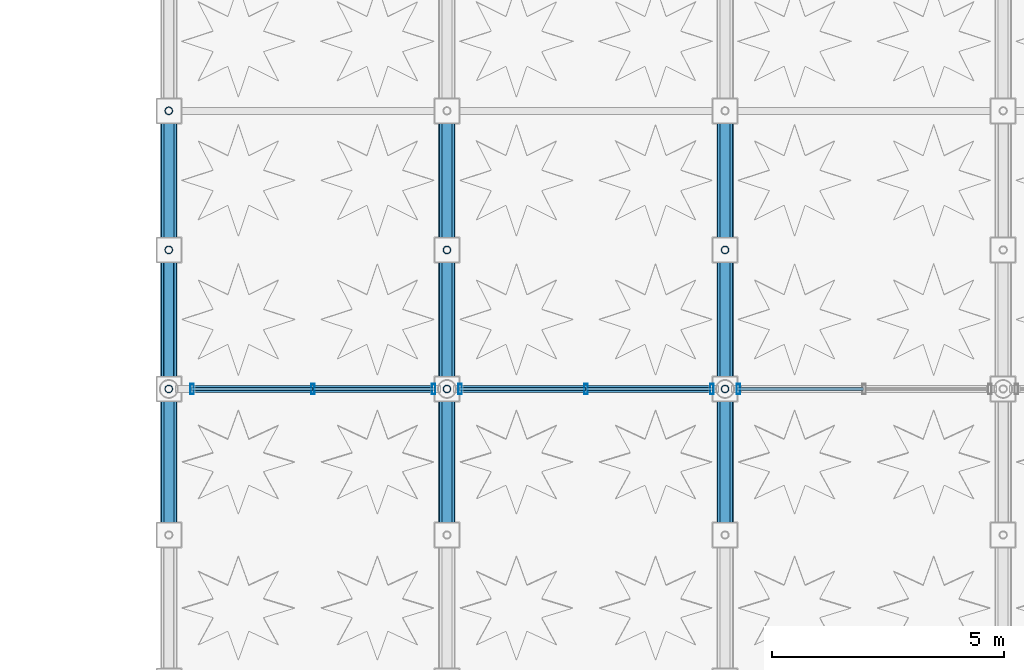
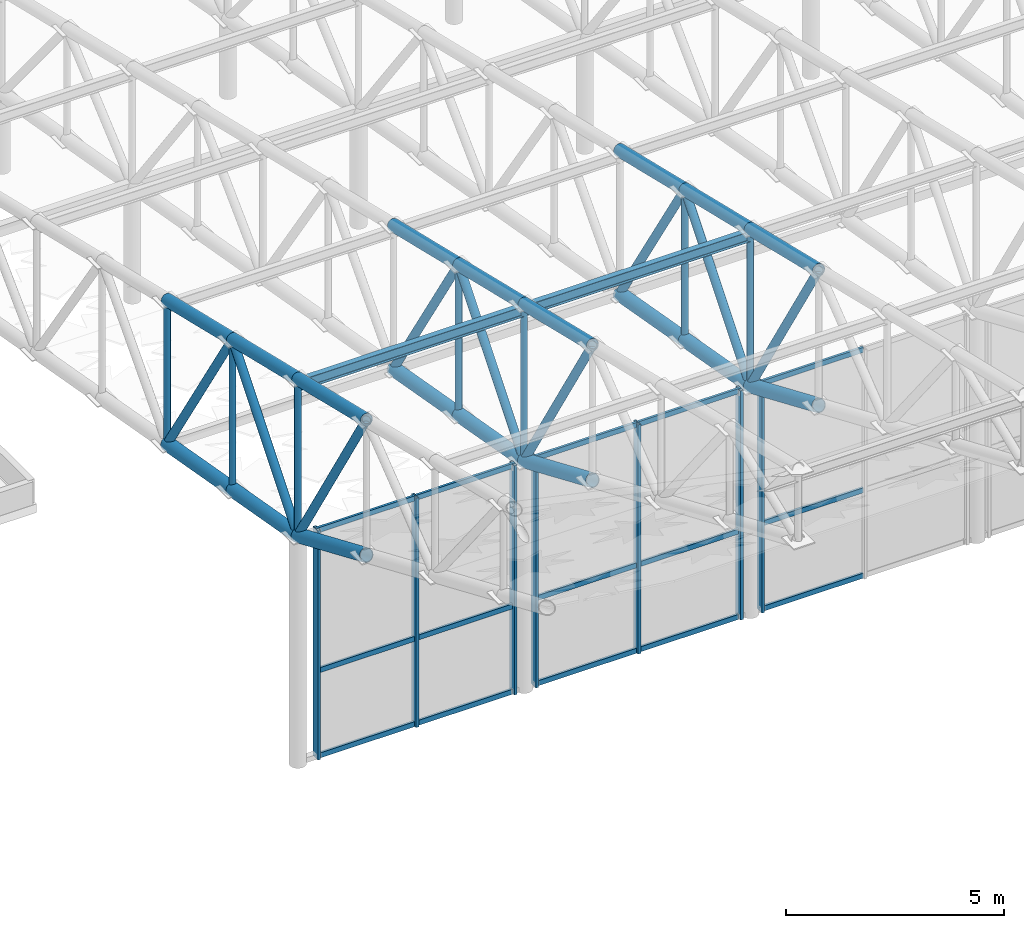
# One storey, part 18 of 123: 56 members, 2 beams, 3 elements without a shape of their own.
"""IFC4 building model written with IfcOpenShell, lengths in metres."""

from ifc_helpers import new_model, si_unit, direction, frame, origin, origin_2d, place, context, subcontext, project, spatial, hollow_rectangle, hollow_circle, i_section, extrude, material, material_profile, profile_set, type_object, element, aggregate, save


model = new_model("IFC4")

# Units and contexts
model_context = context("Model", 3, precision=1e-05, world=origin(), true_north=direction((0.0, 1.0)))
body_context = subcontext(model_context, "Body", "Model", "MODEL_VIEW")
ifc_project = project(units=[si_unit("LENGTHUNIT", "METRE"), si_unit("AREAUNIT", "SQUARE_METRE"), si_unit("VOLUMEUNIT", "CUBIC_METRE"), si_unit("PLANEANGLEUNIT", "RADIAN"), si_unit("MASSUNIT", "GRAM", prefix="KILO"), si_unit("THERMODYNAMICTEMPERATUREUNIT", "KELVIN"), si_unit("POWERUNIT", "WATT")], contexts=[model_context])

# Site, building, storey
site_placement = place(None, origin())
site = spatial("IfcSite", under=ifc_project, at=site_placement, CompositionType="ELEMENT")
building_placement = place(site_placement, origin())
building = spatial("IfcBuilding", under=site, at=building_placement, Name="Phaisarnlok Congress Hotel", CompositionType="ELEMENT")
storey_placement = place(building_placement, frame((0.0, 0.0, 15.0)))
storey = spatial("IfcBuildingStorey", under=building, at=storey_placement, Name="L03", CompositionType="ELEMENT", Elevation=15.0)

# Curtain wall, members
ifc_material_1 = material(Name="Thermally Broken Unitised Aluminium & Low-E Glazing", Category="aluminium")
curtain_wall_type_1 = type_object("IfcCurtainWallType", Name="CW-UNIT-42", PredefinedType="NOTDEFINED", material=ifc_material_1)
curtain_wall_1_placement = place(storey_placement, origin())
curtain_wall_1 = element("IfcCurtainWall", 1, at=curtain_wall_1_placement, inside=storey, type_object=curtain_wall_type_1, Name="Unitised curtain wall CW-42 (L03)", PredefinedType="NOTDEFINED")
ifc_material_2 = material(Name="Anodised Aluminium Alloy 6063-T6", Category="aluminium")
ifc_material_profile_1 = material_profile(ifc_material_2, hollow_rectangle(XDim=0.074951171875, YDim=0.219970703125, WallThickness=0.0048828125, at=origin_2d()), Name="ALU-M 75x220x5")
ifc_profile_set_1 = profile_set([ifc_material_profile_1], Name="Anodised Aluminium Alloy 6063-T6")
member_type_1 = type_object("IfcMemberType", Name="CWM-220", PredefinedType="MULLION", material=ifc_profile_set_1)
member_1_placement = place(storey_placement, frame((66.5048828125, 18.0, -0.010009765625), z_axis=(0.0, 0.0, 1.0), x_axis=(1.0, 0.0, 0.0)))
member_1 = element("IfcMember", 2, at=member_1_placement, type_object=member_type_1, Name="Curtain wall mullion CWM-02", PredefinedType="MULLION", context=body_context, shape_type="SweptSolid", body=[
    extrude(hollow_rectangle(XDim=0.074951171875, YDim=0.219970703125, WallThickness=0.0048828125, at=origin_2d()), origin(), (0.0, 0.0, 1.0), 6.429931640625),
])
member_2_placement = place(storey_placement, frame((69.110107421875, 18.0, -0.010009765625), z_axis=(0.0, 0.0, 1.0), x_axis=(1.0, 0.0, 0.0)))
member_2 = element("IfcMember", 3, at=member_2_placement, type_object=member_type_1, Name="Curtain wall mullion CWM-02", PredefinedType="MULLION", context=body_context, shape_type="SweptSolid", body=[
    extrude(hollow_rectangle(XDim=0.074951171875, YDim=0.219970703125, WallThickness=0.0048828125, at=origin_2d()), origin(), (0.0, 0.0, 1.0), 6.429931640625),
])
member_3_placement = place(storey_placement, frame((71.715087890625, 18.0, -0.010009765625), z_axis=(0.0, 0.0, 1.0), x_axis=(1.0, 0.0, 0.0)))
member_3 = element("IfcMember", 4, at=member_3_placement, type_object=member_type_1, Name="Curtain wall mullion CWM-02", PredefinedType="MULLION", context=body_context, shape_type="SweptSolid", body=[
    extrude(hollow_rectangle(XDim=0.074951171875, YDim=0.219970703125, WallThickness=0.0048828125, at=origin_2d()), origin(), (0.0, 0.0, 1.0), 6.429931640625),
])

curtain_wall_type_2 = type_object("IfcCurtainWallType", Name="CW-UNIT-45", PredefinedType="NOTDEFINED", material=ifc_material_1)
curtain_wall_2_placement = place(storey_placement, origin())
curtain_wall_2 = element("IfcCurtainWall", 5, at=curtain_wall_2_placement, inside=storey, type_object=curtain_wall_type_2, Name="Unitised curtain wall CW-45 (L03)", PredefinedType="NOTDEFINED")
member_4_placement = place(storey_placement, frame((72.284912109375, 18.0, -0.010009765625), z_axis=(0.0, 0.0, 1.0), x_axis=(1.0, 0.0, 0.0)))
member_4 = element("IfcMember", 6, at=member_4_placement, type_object=member_type_1, Name="Curtain wall mullion CWM-02", PredefinedType="MULLION", context=body_context, shape_type="SweptSolid", body=[
    extrude(hollow_rectangle(XDim=0.074951171875, YDim=0.219970703125, WallThickness=0.0048828125, at=origin_2d()), origin(), (0.0, 0.0, 1.0), 6.429931640625),
])
member_5_placement = place(storey_placement, frame((75.0, 18.0, -0.010009765625), z_axis=(0.0, 0.0, 1.0), x_axis=(1.0, 0.0, 0.0)))
member_5 = element("IfcMember", 7, at=member_5_placement, type_object=member_type_1, Name="Curtain wall mullion CWM-02", PredefinedType="MULLION", context=body_context, shape_type="SweptSolid", body=[
    extrude(hollow_rectangle(XDim=0.074951171875, YDim=0.219970703125, WallThickness=0.0048828125, at=origin_2d()), origin(), (0.0, 0.0, 1.0), 6.429931640625),
])
member_6_placement = place(storey_placement, frame((77.715087890625, 18.0, -0.010009765625), z_axis=(0.0, 0.0, 1.0), x_axis=(1.0, 0.0, 0.0)))
member_6 = element("IfcMember", 8, at=member_6_placement, type_object=member_type_1, Name="Curtain wall mullion CWM-02", PredefinedType="MULLION", context=body_context, shape_type="SweptSolid", body=[
    extrude(hollow_rectangle(XDim=0.074951171875, YDim=0.219970703125, WallThickness=0.0048828125, at=origin_2d()), origin(), (0.0, 0.0, 1.0), 6.429931640625),
])

# Curtain wall, member
curtain_wall_3_placement = place(storey_placement, origin())
curtain_wall_3 = element("IfcCurtainWall", 9, at=curtain_wall_3_placement, inside=storey, type_object=curtain_wall_type_2, Name="Unitised curtain wall CW-45 (L03)", PredefinedType="NOTDEFINED")
member_7_placement = place(storey_placement, frame((78.284912109375, 18.0, -0.010009765625), z_axis=(0.0, 0.0, 1.0), x_axis=(1.0, 0.0, 0.0)))
member_7 = element("IfcMember", 10, at=member_7_placement, type_object=member_type_1, Name="Curtain wall mullion CWM-02", PredefinedType="MULLION", context=body_context, shape_type="SweptSolid", body=[
    extrude(hollow_rectangle(XDim=0.074951171875, YDim=0.219970703125, WallThickness=0.0048828125, at=origin_2d()), origin(), (0.0, 0.0, 1.0), 6.429931640625),
])

# Member
ifc_material_profile_2 = material_profile(ifc_material_2, hollow_rectangle(XDim=0.06494140625, YDim=0.139892578125, WallThickness=0.00390625, at=origin_2d()), Name="ALU-T 65x140x4")
ifc_profile_set_2 = profile_set([ifc_material_profile_2], Name="Anodised Aluminium Alloy 6063-T6")
member_type_2 = type_object("IfcMemberType", Name="CWT-150", PredefinedType="USERDEFINED", material=ifc_profile_set_2)
member_8_placement = place(storey_placement, frame((66.47998046875, 18.0, 0.0400390625), z_axis=(1.0, 0.0, 0.0), x_axis=(0.0, 1.0, 0.0)))
member_8 = element("IfcMember", 11, at=member_8_placement, type_object=member_type_2, Name="Curtain wall transom CWT-01", ObjectType="TRANSOM", PredefinedType="USERDEFINED", context=body_context, shape_type="SweptSolid", body=[
    extrude(hollow_rectangle(XDim=0.06494140625, YDim=0.139892578125, WallThickness=0.00390625, at=origin_2d()), origin(), (0.0, 0.0, 1.0), 2.614990234375),
])

member_9_placement = place(storey_placement, frame((66.47998046875, 18.0, 2.433349609375), z_axis=(1.0, 0.0, 0.0), x_axis=(0.0, 1.0, 0.0)))
member_9 = element("IfcMember", 12, at=member_9_placement, type_object=member_type_2, Name="Curtain wall transom CWT-01", ObjectType="TRANSOM", PredefinedType="USERDEFINED", context=body_context, shape_type="SweptSolid", body=[
    extrude(hollow_rectangle(XDim=0.06494140625, YDim=0.139892578125, WallThickness=0.00390625, at=origin_2d()), origin(), (0.0, 0.0, 1.0), 2.614990234375),
])

member_10_placement = place(storey_placement, frame((66.47998046875, 18.0, 6.3701171875), z_axis=(1.0, 0.0, 0.0), x_axis=(0.0, 1.0, 0.0)))
member_10 = element("IfcMember", 13, at=member_10_placement, type_object=member_type_2, Name="Curtain wall transom CWT-01", ObjectType="TRANSOM", PredefinedType="USERDEFINED", context=body_context, shape_type="SweptSolid", body=[
    extrude(hollow_rectangle(XDim=0.06494140625, YDim=0.139892578125, WallThickness=0.00390625, at=origin_2d()), origin(), (0.0, 0.0, 1.0), 2.614990234375),
])

member_11_placement = place(storey_placement, frame((69.125, 18.0, 0.0400390625), z_axis=(1.0, 0.0, 0.0), x_axis=(0.0, 1.0, 0.0)))
member_11 = element("IfcMember", 14, at=member_11_placement, type_object=member_type_2, Name="Curtain wall transom CWT-01", ObjectType="TRANSOM", PredefinedType="USERDEFINED", context=body_context, shape_type="SweptSolid", body=[
    extrude(hollow_rectangle(XDim=0.06494140625, YDim=0.139892578125, WallThickness=0.00390625, at=origin_2d()), origin(), (0.0, 0.0, 1.0), 2.614990234375),
])

member_12_placement = place(storey_placement, frame((69.125, 18.0, 2.433349609375), z_axis=(1.0, 0.0, 0.0), x_axis=(0.0, 1.0, 0.0)))
member_12 = element("IfcMember", 15, at=member_12_placement, type_object=member_type_2, Name="Curtain wall transom CWT-01", ObjectType="TRANSOM", PredefinedType="USERDEFINED", context=body_context, shape_type="SweptSolid", body=[
    extrude(hollow_rectangle(XDim=0.06494140625, YDim=0.139892578125, WallThickness=0.00390625, at=origin_2d()), origin(), (0.0, 0.0, 1.0), 2.614990234375),
])

member_13_placement = place(storey_placement, frame((69.125, 18.0, 6.3701171875), z_axis=(1.0, 0.0, 0.0), x_axis=(0.0, 1.0, 0.0)))
member_13 = element("IfcMember", 16, at=member_13_placement, type_object=member_type_2, Name="Curtain wall transom CWT-01", ObjectType="TRANSOM", PredefinedType="USERDEFINED", context=body_context, shape_type="SweptSolid", body=[
    extrude(hollow_rectangle(XDim=0.06494140625, YDim=0.139892578125, WallThickness=0.00390625, at=origin_2d()), origin(), (0.0, 0.0, 1.0), 2.614990234375),
])

aggregate(curtain_wall_1, [member_1, member_2, member_3, member_8, member_9, member_10, member_11, member_12, member_13])

member_14_placement = place(storey_placement, frame((72.260009765625, 18.0, 0.0400390625), z_axis=(1.0, 0.0, 0.0), x_axis=(0.0, 1.0, 0.0)))
member_14 = element("IfcMember", 17, at=member_14_placement, type_object=member_type_2, Name="Curtain wall transom CWT-01", ObjectType="TRANSOM", PredefinedType="USERDEFINED", context=body_context, shape_type="SweptSolid", body=[
    extrude(hollow_rectangle(XDim=0.06494140625, YDim=0.139892578125, WallThickness=0.00390625, at=origin_2d()), origin(), (0.0, 0.0, 1.0), 2.72509765625),
])

member_15_placement = place(storey_placement, frame((72.260009765625, 18.0, 2.433349609375), z_axis=(1.0, 0.0, 0.0), x_axis=(0.0, 1.0, 0.0)))
member_15 = element("IfcMember", 18, at=member_15_placement, type_object=member_type_2, Name="Curtain wall transom CWT-01", ObjectType="TRANSOM", PredefinedType="USERDEFINED", context=body_context, shape_type="SweptSolid", body=[
    extrude(hollow_rectangle(XDim=0.06494140625, YDim=0.139892578125, WallThickness=0.00390625, at=origin_2d()), origin(), (0.0, 0.0, 1.0), 2.72509765625),
])

member_16_placement = place(storey_placement, frame((72.260009765625, 18.0, 6.3701171875), z_axis=(1.0, 0.0, 0.0), x_axis=(0.0, 1.0, 0.0)))
member_16 = element("IfcMember", 19, at=member_16_placement, type_object=member_type_2, Name="Curtain wall transom CWT-01", ObjectType="TRANSOM", PredefinedType="USERDEFINED", context=body_context, shape_type="SweptSolid", body=[
    extrude(hollow_rectangle(XDim=0.06494140625, YDim=0.139892578125, WallThickness=0.00390625, at=origin_2d()), origin(), (0.0, 0.0, 1.0), 2.72509765625),
])

member_17_placement = place(storey_placement, frame((75.014892578125, 18.0, 0.0400390625), z_axis=(1.0, 0.0, 0.0), x_axis=(0.0, 1.0, 0.0)))
member_17 = element("IfcMember", 20, at=member_17_placement, type_object=member_type_2, Name="Curtain wall transom CWT-01", ObjectType="TRANSOM", PredefinedType="USERDEFINED", context=body_context, shape_type="SweptSolid", body=[
    extrude(hollow_rectangle(XDim=0.06494140625, YDim=0.139892578125, WallThickness=0.00390625, at=origin_2d()), origin(), (0.0, 0.0, 1.0), 2.72509765625),
])

member_18_placement = place(storey_placement, frame((75.014892578125, 18.0, 2.433349609375), z_axis=(1.0, 0.0, 0.0), x_axis=(0.0, 1.0, 0.0)))
member_18 = element("IfcMember", 21, at=member_18_placement, type_object=member_type_2, Name="Curtain wall transom CWT-01", ObjectType="TRANSOM", PredefinedType="USERDEFINED", context=body_context, shape_type="SweptSolid", body=[
    extrude(hollow_rectangle(XDim=0.06494140625, YDim=0.139892578125, WallThickness=0.00390625, at=origin_2d()), origin(), (0.0, 0.0, 1.0), 2.72509765625),
])

member_19_placement = place(storey_placement, frame((75.014892578125, 18.0, 6.3701171875), z_axis=(1.0, 0.0, 0.0), x_axis=(0.0, 1.0, 0.0)))
member_19 = element("IfcMember", 22, at=member_19_placement, type_object=member_type_2, Name="Curtain wall transom CWT-01", ObjectType="TRANSOM", PredefinedType="USERDEFINED", context=body_context, shape_type="SweptSolid", body=[
    extrude(hollow_rectangle(XDim=0.06494140625, YDim=0.139892578125, WallThickness=0.00390625, at=origin_2d()), origin(), (0.0, 0.0, 1.0), 2.72509765625),
])

aggregate(curtain_wall_2, [member_4, member_5, member_6, member_14, member_15, member_16, member_17, member_18, member_19])

member_20_placement = place(storey_placement, frame((78.260009765625, 18.0, 0.0400390625), z_axis=(1.0, 0.0, 0.0), x_axis=(0.0, 1.0, 0.0)))
member_20 = element("IfcMember", 23, at=member_20_placement, type_object=member_type_2, Name="Curtain wall transom CWT-01", ObjectType="TRANSOM", PredefinedType="USERDEFINED", context=body_context, shape_type="SweptSolid", body=[
    extrude(hollow_rectangle(XDim=0.06494140625, YDim=0.139892578125, WallThickness=0.00390625, at=origin_2d()), origin(), (0.0, 0.0, 1.0), 2.72509765625),
])

member_21_placement = place(storey_placement, frame((78.260009765625, 18.0, 2.433349609375), z_axis=(1.0, 0.0, 0.0), x_axis=(0.0, 1.0, 0.0)))
member_21 = element("IfcMember", 24, at=member_21_placement, type_object=member_type_2, Name="Curtain wall transom CWT-01", ObjectType="TRANSOM", PredefinedType="USERDEFINED", context=body_context, shape_type="SweptSolid", body=[
    extrude(hollow_rectangle(XDim=0.06494140625, YDim=0.139892578125, WallThickness=0.00390625, at=origin_2d()), origin(), (0.0, 0.0, 1.0), 2.72509765625),
])

member_22_placement = place(storey_placement, frame((78.260009765625, 18.0, 6.3701171875), z_axis=(1.0, 0.0, 0.0), x_axis=(0.0, 1.0, 0.0)))
member_22 = element("IfcMember", 25, at=member_22_placement, type_object=member_type_2, Name="Curtain wall transom CWT-01", ObjectType="TRANSOM", PredefinedType="USERDEFINED", context=body_context, shape_type="SweptSolid", body=[
    extrude(hollow_rectangle(XDim=0.06494140625, YDim=0.139892578125, WallThickness=0.00390625, at=origin_2d()), origin(), (0.0, 0.0, 1.0), 2.72509765625),
])

aggregate(curtain_wall_3, [member_7, member_20, member_21, member_22])

# Beams
ifc_material_3 = material(Name="Steel S355", Category="steel")
ifc_material_profile_3 = material_profile(ifc_material_3, i_section(OverallWidth=0.14990234375, OverallDepth=0.300048828125, WebThickness=0.007080078125, FlangeThickness=0.0107421875, FilletRadius=0.014892578125, at=origin_2d()), Name="IPE 300")
ifc_profile_set_3 = profile_set([ifc_material_profile_3], Name="Steel S355")
beam_type = type_object("IfcBeamType", Name="JS-STL-IPE300", PredefinedType="JOIST", material=ifc_profile_set_3)
for number, where, z_axis, x_axis, name in (
    (26, (66.0, 18.0, 10.630615234375), (1.0, 0.0, 0.0), (0.0, 1.0, 0.0), "South wing roof purlin"),
    (27, (72.0, 18.0, 10.630615234375), (1.0, 0.0, 0.0), (0.0, 1.0, 0.0), "South wing roof purlin"),
):
    element("IfcBeam", number, at=place(storey_placement, frame(where, z_axis=z_axis, x_axis=x_axis)), inside=storey, type_object=beam_type, Name=name, PredefinedType="JOIST", context=body_context, shape_type="SweptSolid", body=[
        extrude(i_section(OverallWidth=0.14990234375, OverallDepth=0.300048828125, WebThickness=0.007080078125, FlangeThickness=0.0107421875, FilletRadius=0.014892578125, at=origin_2d()), origin(), (0.0, 0.0, 1.0), 6.0),
    ])

# Members
ifc_material_profile_4 = material_profile(ifc_material_3, hollow_circle(Radius=0.084228515625, WallThickness=0.010009765625, at=origin_2d()), Name="CHS 168.3x10")
ifc_profile_set_4 = profile_set([ifc_material_profile_4], Name="Steel S355")
member_type_3 = type_object("IfcMemberType", Name="MEM-BRC-CHS168", PredefinedType="BRACE", material=ifc_profile_set_4)
member_23_placement = place(storey_placement, frame((66.0, 24.0, 5.333251953125), z_axis=(0.0, 0.0, 1.0), x_axis=(1.0, 0.0, 0.0)))
element("IfcMember", 28, at=member_23_placement, inside=storey, type_object=member_type_3, Name="South wing roof truss vertical web", PredefinedType="BRACE", context=body_context, shape_type="SweptSolid", body=[
    extrude(hollow_circle(Radius=0.084228515625, WallThickness=0.010009765625, at=origin_2d()), origin(), (0.0, 0.0, 1.0), 4.02734375),
])
member_24_placement = place(storey_placement, frame((66.0, 21.0, 5.86669921875), z_axis=(0.0, 0.0, 1.0), x_axis=(1.0, 0.0, 0.0)))
element("IfcMember", 29, at=member_24_placement, inside=storey, type_object=member_type_3, Name="South wing roof truss vertical web", PredefinedType="BRACE", context=body_context, shape_type="SweptSolid", body=[
    extrude(hollow_circle(Radius=0.084228515625, WallThickness=0.010009765625, at=origin_2d()), origin(), (0.0, 0.0, 1.0), 4.2099609375),
])
member_25_placement = place(storey_placement, frame((66.0, 18.0, 6.39990234375), z_axis=(0.0, 0.0, 1.0), x_axis=(1.0, 0.0, 0.0)))
element("IfcMember", 30, at=member_25_placement, inside=storey, type_object=member_type_3, Name="South wing roof truss vertical web", PredefinedType="BRACE", context=body_context, shape_type="SweptSolid", body=[
    extrude(hollow_circle(Radius=0.084228515625, WallThickness=0.010009765625, at=origin_2d()), origin(), (0.0, 0.0, 1.0), 4.392578125),
])
member_26_placement = place(storey_placement, frame((72.0, 21.0, 5.86669921875), z_axis=(0.0, 0.0, 1.0), x_axis=(1.0, 0.0, 0.0)))
element("IfcMember", 31, at=member_26_placement, inside=storey, type_object=member_type_3, Name="South wing roof truss vertical web", PredefinedType="BRACE", context=body_context, shape_type="SweptSolid", body=[
    extrude(hollow_circle(Radius=0.084228515625, WallThickness=0.010009765625, at=origin_2d()), origin(), (0.0, 0.0, 1.0), 4.2099609375),
])
member_27_placement = place(storey_placement, frame((72.0, 18.0, 6.39990234375), z_axis=(0.0, 0.0, 1.0), x_axis=(1.0, 0.0, 0.0)))
element("IfcMember", 32, at=member_27_placement, inside=storey, type_object=member_type_3, Name="South wing roof truss vertical web", PredefinedType="BRACE", context=body_context, shape_type="SweptSolid", body=[
    extrude(hollow_circle(Radius=0.084228515625, WallThickness=0.010009765625, at=origin_2d()), origin(), (0.0, 0.0, 1.0), 4.392578125),
])
member_28_placement = place(storey_placement, frame((78.0, 21.0, 5.86669921875), z_axis=(0.0, 0.0, 1.0), x_axis=(1.0, 0.0, 0.0)))
element("IfcMember", 33, at=member_28_placement, inside=storey, type_object=member_type_3, Name="South wing roof truss vertical web", PredefinedType="BRACE", context=body_context, shape_type="SweptSolid", body=[
    extrude(hollow_circle(Radius=0.084228515625, WallThickness=0.010009765625, at=origin_2d()), origin(), (0.0, 0.0, 1.0), 4.2099609375),
])
member_29_placement = place(storey_placement, frame((78.0, 18.0, 6.39990234375), z_axis=(0.0, 0.0, 1.0), x_axis=(1.0, 0.0, 0.0)))
element("IfcMember", 34, at=member_29_placement, inside=storey, type_object=member_type_3, Name="South wing roof truss vertical web", PredefinedType="BRACE", context=body_context, shape_type="SweptSolid", body=[
    extrude(hollow_circle(Radius=0.084228515625, WallThickness=0.010009765625, at=origin_2d()), origin(), (0.0, 0.0, 1.0), 4.392578125),
])
ifc_material_profile_5 = material_profile(ifc_material_3, hollow_circle(Radius=0.109619140625, WallThickness=0.012451171875, at=origin_2d()), Name="CHS 219.1x12.5")
ifc_profile_set_5 = profile_set([ifc_material_profile_5], Name="Steel S355")
member_type_4 = type_object("IfcMemberType", Name="MEM-BRC-CHS219", PredefinedType="BRACE", material=ifc_profile_set_5)
member_30_placement = place(storey_placement, frame((66.0, 24.0, 5.333251953125), z_axis=(0.0, -0.534523150864, 0.845153832856), x_axis=(1.0, 0.0, 0.0)))
element("IfcMember", 35, at=member_30_placement, inside=storey, type_object=member_type_4, Name="South wing roof truss diagonal brace", PredefinedType="BRACE", context=body_context, shape_type="SweptSolid", body=[
    extrude(hollow_circle(Radius=0.109619140625, WallThickness=0.012451171875, at=origin_2d()), origin(), (0.0, 0.0, 1.0), 5.612548828125),
])
member_31_placement = place(storey_placement, frame((66.0, 18.0, 6.39990234375), z_axis=(0.0, 0.632195008814, 0.77480931256), x_axis=(-1.0, 0.0, 0.0)))
element("IfcMember", 36, at=member_31_placement, inside=storey, type_object=member_type_4, Name="South wing roof truss diagonal brace", PredefinedType="BRACE", context=body_context, shape_type="SweptSolid", body=[
    extrude(hollow_circle(Radius=0.109619140625, WallThickness=0.012451171875, at=origin_2d()), origin(), (0.0, 0.0, 1.0), 4.745361328125),
])
member_32_placement = place(storey_placement, frame((72.0, 24.0, 5.333251953125), z_axis=(0.0, -0.534523150864, 0.845153832856), x_axis=(1.0, 0.0, 0.0)))
element("IfcMember", 37, at=member_32_placement, inside=storey, type_object=member_type_4, Name="South wing roof truss diagonal brace", PredefinedType="BRACE", context=body_context, shape_type="SweptSolid", body=[
    extrude(hollow_circle(Radius=0.109619140625, WallThickness=0.012451171875, at=origin_2d()), origin(), (0.0, 0.0, 1.0), 5.612548828125),
])
member_33_placement = place(storey_placement, frame((72.0, 18.0, 6.39990234375), z_axis=(0.0, 0.632195008814, 0.77480931256), x_axis=(-1.0, 0.0, 0.0)))
element("IfcMember", 38, at=member_33_placement, inside=storey, type_object=member_type_4, Name="South wing roof truss diagonal brace", PredefinedType="BRACE", context=body_context, shape_type="SweptSolid", body=[
    extrude(hollow_circle(Radius=0.109619140625, WallThickness=0.012451171875, at=origin_2d()), origin(), (0.0, 0.0, 1.0), 4.745361328125),
])
member_34_placement = place(storey_placement, frame((78.0, 24.0, 5.333251953125), z_axis=(0.0, -0.534523150864, 0.845153832856), x_axis=(1.0, 0.0, 0.0)))
element("IfcMember", 39, at=member_34_placement, inside=storey, type_object=member_type_4, Name="South wing roof truss diagonal brace", PredefinedType="BRACE", context=body_context, shape_type="SweptSolid", body=[
    extrude(hollow_circle(Radius=0.109619140625, WallThickness=0.012451171875, at=origin_2d()), origin(), (0.0, 0.0, 1.0), 5.612548828125),
])
member_35_placement = place(storey_placement, frame((78.0, 18.0, 6.39990234375), z_axis=(0.0, 0.632195008814, 0.77480931256), x_axis=(-1.0, 0.0, 0.0)))
element("IfcMember", 40, at=member_35_placement, inside=storey, type_object=member_type_4, Name="South wing roof truss diagonal brace", PredefinedType="BRACE", context=body_context, shape_type="SweptSolid", body=[
    extrude(hollow_circle(Radius=0.109619140625, WallThickness=0.012451171875, at=origin_2d()), origin(), (0.0, 0.0, 1.0), 4.745361328125),
])
ifc_material_profile_6 = material_profile(ifc_material_3, hollow_circle(Radius=0.109619140625, WallThickness=0.012451171875, at=origin_2d()), Name="CHS 219.1x12.5")
ifc_profile_set_6 = profile_set([ifc_material_profile_6], Name="Steel S355")
member_type_5 = type_object("IfcMemberType", Name="MEM-BRC-CHS219-EXT", PredefinedType="BRACE", material=ifc_profile_set_6)
for number, where, z_axis, x_axis, name in (
    (41, (66.0, 18.0, 6.39990234375), (0.0, -0.522176688857, 0.852837326584), (1.0, 0.0, 0.0), "South wing roof truss diagonal brace"),
    (42, (72.0, 18.0, 6.39990234375), (0.0, -0.522176688857, 0.852837326584), (1.0, 0.0, 0.0), "South wing roof truss diagonal brace"),
    (43, (78.0, 18.0, 6.39990234375), (0.0, -0.522176688857, 0.852837326584), (1.0, 0.0, 0.0), "South wing roof truss diagonal brace"),
):
    element("IfcMember", number, at=place(storey_placement, frame(where, z_axis=z_axis, x_axis=x_axis)), inside=storey, type_object=member_type_5, Name=name, PredefinedType="BRACE", context=body_context, shape_type="SweptSolid", body=[
        extrude(hollow_circle(Radius=0.109619140625, WallThickness=0.012451171875, at=origin_2d()), origin(), (0.0, 0.0, 1.0), 6.0322265625),
    ])
ifc_material_profile_7 = material_profile(ifc_material_3, hollow_circle(Radius=0.161865234375, WallThickness=0.01611328125, at=origin_2d()), Name="CHS 323.9x16")
ifc_profile_set_7 = profile_set([ifc_material_profile_7], Name="Steel S355")
member_type_6 = type_object("IfcMemberType", Name="MEM-CHD-CHS324", PredefinedType="CHORD", material=ifc_profile_set_7)
for number, where, z_axis, x_axis, name in (
    (44, (66.0, 24.0, 9.360595703125), (0.0, -0.972676115692, 0.232166263617), (1.0, 0.0, 0.0), "South wing roof truss top chord"),
    (45, (66.0, 21.0, 10.07666015625), (0.0, -0.972693988482, 0.232091371601), (1.0, 0.0, 0.0), "South wing roof truss top chord"),
    (46, (72.0, 24.0, 9.360595703125), (0.0, -0.972676115692, 0.232166263617), (1.0, 0.0, 0.0), "South wing roof truss top chord"),
    (47, (72.0, 21.0, 10.07666015625), (0.0, -0.972693988482, 0.232091371601), (1.0, 0.0, 0.0), "South wing roof truss top chord"),
    (48, (78.0, 24.0, 9.360595703125), (0.0, -0.972676115692, 0.232166263617), (1.0, 0.0, 0.0), "South wing roof truss top chord"),
    (49, (78.0, 21.0, 10.07666015625), (0.0, -0.972693988482, 0.232091371601), (1.0, 0.0, 0.0), "South wing roof truss top chord"),
):
    element("IfcMember", number, at=place(storey_placement, frame(where, z_axis=z_axis, x_axis=x_axis)), inside=storey, type_object=member_type_6, Name=name, PredefinedType="CHORD", context=body_context, shape_type="SweptSolid", body=[
        extrude(hollow_circle(Radius=0.161865234375, WallThickness=0.01611328125, at=origin_2d()), origin(), (0.0, 0.0, 1.0), 3.084228515625),
    ])
ifc_material_profile_8 = material_profile(ifc_material_3, hollow_circle(Radius=0.161865234375, WallThickness=0.01611328125, at=origin_2d()), Name="CHS 323.9x16")
ifc_profile_set_8 = profile_set([ifc_material_profile_8], Name="Steel S355")
member_type_7 = type_object("IfcMemberType", Name="MEM-CHD-CHS324-EXT", PredefinedType="CHORD", material=ifc_profile_set_8)
for number, where, z_axis, x_axis, name in (
    (50, (66.0, 18.0, 10.79248046875), (0.0, -0.972668531165, 0.232198037203), (1.0, 0.0, 0.0), "South wing roof truss top chord"),
    (51, (72.0, 18.0, 10.79248046875), (0.0, -0.972668531165, 0.232198037203), (1.0, 0.0, 0.0), "South wing roof truss top chord"),
    (52, (78.0, 18.0, 10.79248046875), (0.0, -0.972668531165, 0.232198037203), (1.0, 0.0, 0.0), "South wing roof truss top chord"),
):
    element("IfcMember", number, at=place(storey_placement, frame(where, z_axis=z_axis, x_axis=x_axis)), inside=storey, type_object=member_type_7, Name=name, PredefinedType="CHORD", context=body_context, shape_type="SweptSolid", body=[
        extrude(hollow_circle(Radius=0.161865234375, WallThickness=0.01611328125, at=origin_2d()), origin(), (0.0, 0.0, 1.0), 3.238525390625),
    ])
ifc_material_profile_9 = material_profile(ifc_material_3, hollow_circle(Radius=0.177734375, WallThickness=0.02001953125, at=origin_2d()), Name="CHS 355.6x20")
ifc_profile_set_9 = profile_set([ifc_material_profile_9], Name="Steel S355")
member_type_8 = type_object("IfcMemberType", Name="MEM-CHD-CHS356", PredefinedType="CHORD", material=ifc_profile_set_9)
for number, where, z_axis, x_axis, name in (
    (53, (66.0, 24.0, 5.333251953125), (0.0, -0.984556063496, 0.175069579976), (1.0, 0.0, 0.0), "South wing roof truss bottom chord"),
    (54, (66.0, 21.0, 5.86669921875), (0.0, -0.984569871158, 0.174991910694), (1.0, 0.0, 0.0), "South wing roof truss bottom chord"),
    (55, (72.0, 24.0, 5.333251953125), (0.0, -0.984556063496, 0.175069579976), (1.0, 0.0, 0.0), "South wing roof truss bottom chord"),
    (56, (72.0, 21.0, 5.86669921875), (0.0, -0.984569871158, 0.174991910694), (1.0, 0.0, 0.0), "South wing roof truss bottom chord"),
    (57, (78.0, 24.0, 5.333251953125), (0.0, -0.984556063496, 0.175069579976), (1.0, 0.0, 0.0), "South wing roof truss bottom chord"),
    (58, (78.0, 21.0, 5.86669921875), (0.0, -0.984569871158, 0.174991910694), (1.0, 0.0, 0.0), "South wing roof truss bottom chord"),
):
    element("IfcMember", number, at=place(storey_placement, frame(where, z_axis=z_axis, x_axis=x_axis)), inside=storey, type_object=member_type_8, Name=name, PredefinedType="CHORD", context=body_context, shape_type="SweptSolid", body=[
        extrude(hollow_circle(Radius=0.177734375, WallThickness=0.02001953125, at=origin_2d()), origin(), (0.0, 0.0, 1.0), 3.047119140625),
    ])
ifc_material_profile_10 = material_profile(ifc_material_3, hollow_circle(Radius=0.177734375, WallThickness=0.02001953125, at=origin_2d()), Name="CHS 355.6x20")
ifc_profile_set_10 = profile_set([ifc_material_profile_10], Name="Steel S355")
member_type_9 = type_object("IfcMemberType", Name="MEM-CHD-CHS356-EXT", PredefinedType="CHORD", material=ifc_profile_set_10)
for number, where, z_axis, x_axis, name in (
    (59, (66.0, 18.0, 6.39990234375), (0.0, -0.919130290196, 0.393953689721), (1.0, 0.0, 0.0), "South wing roof truss bottom chord"),
    (60, (72.0, 18.0, 6.39990234375), (0.0, -0.919130290196, 0.393953689721), (1.0, 0.0, 0.0), "South wing roof truss bottom chord"),
    (61, (78.0, 18.0, 6.39990234375), (0.0, -0.919130290196, 0.393953689721), (1.0, 0.0, 0.0), "South wing roof truss bottom chord"),
):
    element("IfcMember", number, at=place(storey_placement, frame(where, z_axis=z_axis, x_axis=x_axis)), inside=storey, type_object=member_type_9, Name=name, PredefinedType="CHORD", context=body_context, shape_type="SweptSolid", body=[
        extrude(hollow_circle(Radius=0.177734375, WallThickness=0.02001953125, at=origin_2d()), origin(), (0.0, 0.0, 1.0), 3.427001953125),
    ])

save(model, "model.ifc")
